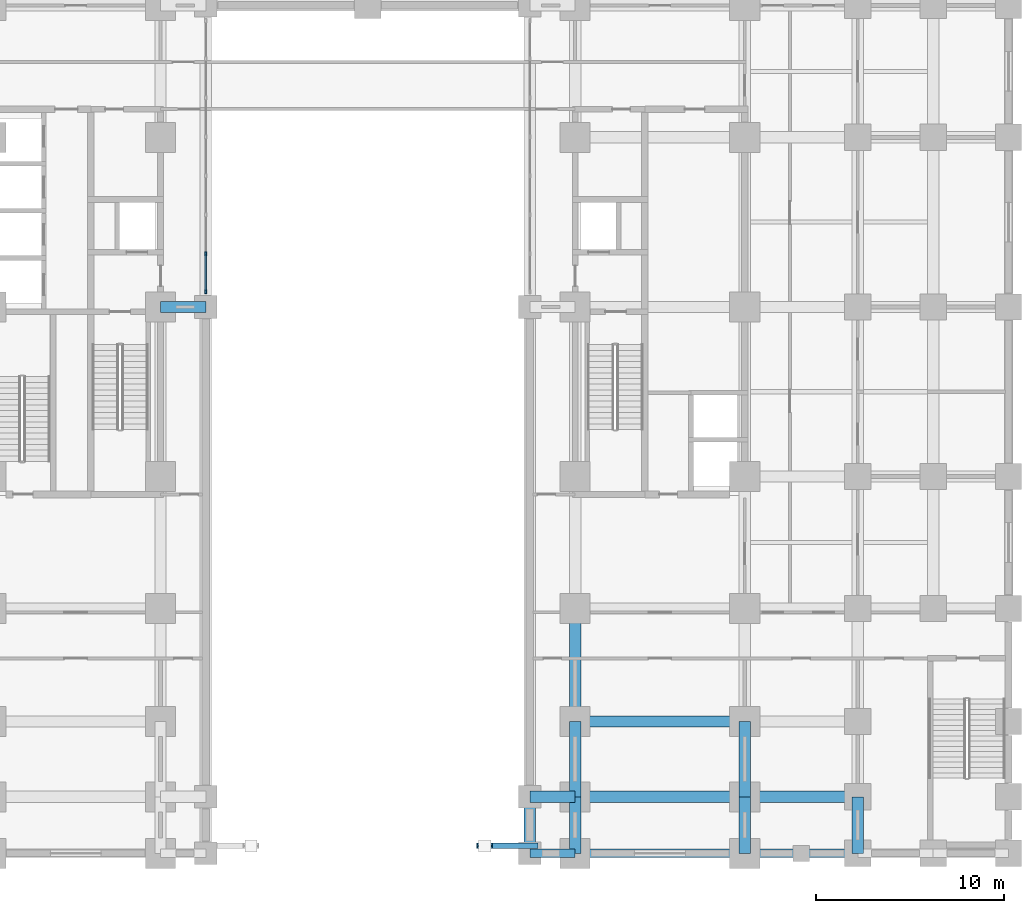
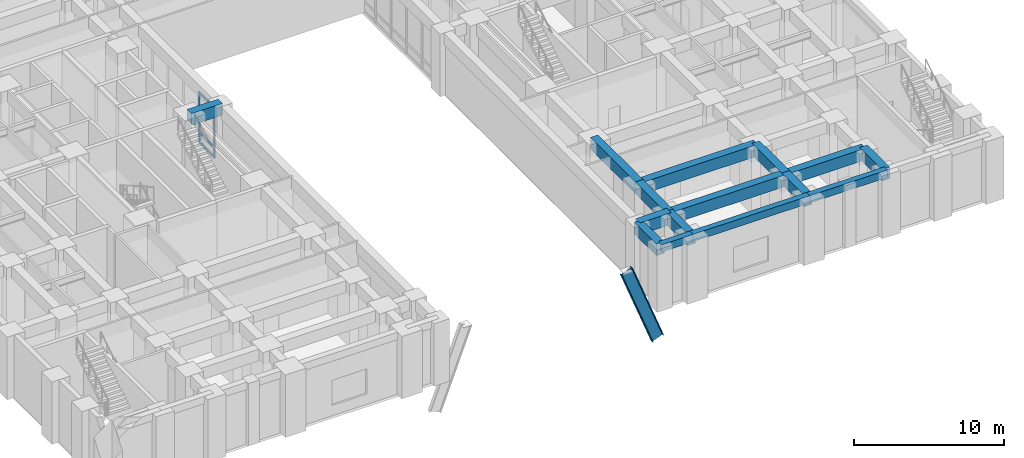
# One storey, part 2 of 23: 15 beams, 6 members, 1 element without a shape of its own.
"""IFC4 building model written with IfcOpenShell, lengths in metres."""

from ifc_helpers import new_model, si_unit, direction, frame, origin, origin_2d, place, context, subcontext, project, spatial, rectangle, i_section, extrude, material, material_profile, profile_set, type_object, element, aggregate, save


model = new_model("IFC4")

# Units and contexts
model_context = context("Model", 3, precision=1e-05, world=origin(), true_north=direction((0.0, 1.0)))
body_context = subcontext(model_context, "Body", "Model", "MODEL_VIEW")
ifc_project = project(units=[si_unit("LENGTHUNIT", "METRE"), si_unit("AREAUNIT", "SQUARE_METRE"), si_unit("VOLUMEUNIT", "CUBIC_METRE"), si_unit("PLANEANGLEUNIT", "RADIAN"), si_unit("MASSUNIT", "GRAM", prefix="KILO")], contexts=[model_context])

# Site, building, storey
site_placement = place(None, origin())
site = spatial("IfcSite", under=ifc_project, at=site_placement, CompositionType="ELEMENT")
building_placement = place(site_placement, origin())
building = spatial("IfcBuilding", under=site, at=building_placement, Name="Zulmaris Gate Convention Tower", CompositionType="ELEMENT")
storey_placement = place(building_placement, frame((0.0, 0.0, 10.8798828125)))
storey = spatial("IfcBuildingStorey", under=building, at=storey_placement, Name="L02", CompositionType="ELEMENT", Elevation=10.8798828125)

# Beams
ifc_material_1 = material(Name="Concrete C60/75", Category="concrete")
ifc_material_profile_1 = material_profile(ifc_material_1, rectangle(XDim=0.60009765625, YDim=0.949951171875, at=origin_2d()), Name="RC BEAM 600x950")
ifc_profile_set_1 = profile_set([ifc_material_profile_1], Name="Concrete C60/75")
beam_type_1 = type_object("IfcBeamType", Name="BM-RC600x950", PredefinedType="BEAM", material=ifc_profile_set_1)
beam_1_placement = place(storey_placement, frame((8.60009765625, -26.0, 4.615234375), z_axis=(1.0, 0.0, 0.0), x_axis=(0.0, 1.0, 0.0)))
element("IfcBeam", 1, at=beam_1_placement, inside=storey, type_object=beam_type_1, Name="L02 Beam BM-L02-X--26.0-+8.6", PredefinedType="BEAM", context=body_context, shape_type="SweptSolid", body=[
    extrude(rectangle(XDim=0.60009765625, YDim=0.949951171875, at=origin_2d()), origin(), (0.0, 0.0, 1.0), 2.39990234375),
])
beam_2_placement = place(storey_placement, frame((11.0, -26.0, 4.615234375), z_axis=(1.0, 0.0, 0.0), x_axis=(0.0, 1.0, 0.0)))
element("IfcBeam", 2, at=beam_2_placement, inside=storey, type_object=beam_type_1, Name="L02 Beam BM-L02-X--26.0-+11.0", PredefinedType="BEAM", context=body_context, shape_type="SweptSolid", body=[
    extrude(rectangle(XDim=0.60009765625, YDim=0.949951171875, at=origin_2d()), origin(), (0.0, 0.0, 1.0), 9.0),
])
beam_3_placement = place(storey_placement, frame((20.0, -26.0, 4.615234375), z_axis=(1.0, 0.0, 0.0), x_axis=(0.0, 1.0, 0.0)))
element("IfcBeam", 3, at=beam_3_placement, inside=storey, type_object=beam_type_1, Name="L02 Beam BM-L02-X--26.0-+20.0", PredefinedType="BEAM", context=body_context, shape_type="SweptSolid", body=[
    extrude(rectangle(XDim=0.60009765625, YDim=0.949951171875, at=origin_2d()), origin(), (0.0, 0.0, 1.0), 6.0),
])
beam_4_placement = place(storey_placement, frame((11.0, -22.0, 4.615234375), z_axis=(1.0, 0.0, 0.0), x_axis=(0.0, 1.0, 0.0)))
element("IfcBeam", 4, at=beam_4_placement, inside=storey, type_object=beam_type_1, Name="L02 Beam BM-L02-X--22.0-+11.0", PredefinedType="BEAM", context=body_context, shape_type="SweptSolid", body=[
    extrude(rectangle(XDim=0.60009765625, YDim=0.949951171875, at=origin_2d()), origin(), (0.0, 0.0, 1.0), 9.0),
])
beam_5_placement = place(storey_placement, frame((-11.0, 0.0, 4.615234375), z_axis=(1.0, 0.0, 0.0), x_axis=(0.0, 1.0, 0.0)))
element("IfcBeam", 5, at=beam_5_placement, inside=storey, type_object=beam_type_1, Name="L02 Beam BM-L02-X-+0.0--11.0", PredefinedType="BEAM", context=body_context, shape_type="SweptSolid", body=[
    extrude(rectangle(XDim=0.60009765625, YDim=0.949951171875, at=origin_2d()), origin(), (0.0, 0.0, 1.0), 2.39990234375),
])
for number, where, z_axis, x_axis, name in (
    (6, (8.60009765625, -29.0, 4.615234375), (0.0, 1.0, 0.0), (-1.0, 0.0, 0.0), "L02 Beam BM-L02-Y-+8.6--29.0"),
    (7, (11.0, -29.0, 4.615234375), (0.0, 1.0, 0.0), (-1.0, 0.0, 0.0), "L02 Beam BM-L02-Y-+11.0--29.0"),
):
    element("IfcBeam", number, at=place(storey_placement, frame(where, z_axis=z_axis, x_axis=x_axis)), inside=storey, type_object=beam_type_1, Name=name, PredefinedType="BEAM", context=body_context, shape_type="SweptSolid", body=[
        extrude(rectangle(XDim=0.60009765625, YDim=0.949951171875, at=origin_2d()), origin(), (0.0, 0.0, 1.0), 3.0),
    ])
beam_6_placement = place(storey_placement, frame((11.0, -26.0, 4.615234375), z_axis=(0.0, 1.0, 0.0), x_axis=(-1.0, 0.0, 0.0)))
element("IfcBeam", 8, at=beam_6_placement, inside=storey, type_object=beam_type_1, Name="L02 Beam BM-L02-Y-+11.0--26.0", PredefinedType="BEAM", context=body_context, shape_type="SweptSolid", body=[
    extrude(rectangle(XDim=0.60009765625, YDim=0.949951171875, at=origin_2d()), origin(), (0.0, 0.0, 1.0), 4.0),
])
beam_7_placement = place(storey_placement, frame((11.0, -22.0, 4.615234375), z_axis=(0.0, 1.0, 0.0), x_axis=(-1.0, 0.0, 0.0)))
element("IfcBeam", 9, at=beam_7_placement, inside=storey, type_object=beam_type_1, Name="L02 Beam BM-L02-Y-+11.0--22.0", PredefinedType="BEAM", context=body_context, shape_type="SweptSolid", body=[
    extrude(rectangle(XDim=0.60009765625, YDim=0.949951171875, at=origin_2d()), origin(), (0.0, 0.0, 1.0), 6.0),
])
beam_8_placement = place(storey_placement, frame((20.0, -29.0, 4.615234375), z_axis=(0.0, 1.0, 0.0), x_axis=(-1.0, 0.0, 0.0)))
element("IfcBeam", 10, at=beam_8_placement, inside=storey, type_object=beam_type_1, Name="L02 Beam BM-L02-Y-+20.0--29.0", PredefinedType="BEAM", context=body_context, shape_type="SweptSolid", body=[
    extrude(rectangle(XDim=0.60009765625, YDim=0.949951171875, at=origin_2d()), origin(), (0.0, 0.0, 1.0), 3.0),
])
beam_9_placement = place(storey_placement, frame((20.0, -26.0, 4.615234375), z_axis=(0.0, 1.0, 0.0), x_axis=(-1.0, 0.0, 0.0)))
element("IfcBeam", 11, at=beam_9_placement, inside=storey, type_object=beam_type_1, Name="L02 Beam BM-L02-Y-+20.0--26.0", PredefinedType="BEAM", context=body_context, shape_type="SweptSolid", body=[
    extrude(rectangle(XDim=0.60009765625, YDim=0.949951171875, at=origin_2d()), origin(), (0.0, 0.0, 1.0), 4.0),
])
beam_10_placement = place(storey_placement, frame((26.0, -29.0, 4.615234375), z_axis=(0.0, 1.0, 0.0), x_axis=(-1.0, 0.0, 0.0)))
element("IfcBeam", 12, at=beam_10_placement, inside=storey, type_object=beam_type_1, Name="L02 Beam BM-L02-Y-+26.0--29.0", PredefinedType="BEAM", context=body_context, shape_type="SweptSolid", body=[
    extrude(rectangle(XDim=0.60009765625, YDim=0.949951171875, at=origin_2d()), origin(), (0.0, 0.0, 1.0), 3.0),
])
ifc_material_2 = material(Name="Precast concrete C50/60", Category="concrete")
ifc_material_profile_2 = material_profile(ifc_material_2, rectangle(XDim=0.449951171875, YDim=0.60009765625, at=origin_2d()), Name="RC SPANDREL 450x600")
ifc_profile_set_2 = profile_set([ifc_material_profile_2], Name="Precast concrete C50/60")
beam_type_2 = type_object("IfcBeamType", Name="BM-SP450x600", PredefinedType="SPANDREL", material=ifc_profile_set_2)
beam_11_placement = place(storey_placement, frame((8.60009765625, -29.0, 4.790283203125), z_axis=(1.0, 0.0, 0.0), x_axis=(0.0, 1.0, 0.0)))
element("IfcBeam", 13, at=beam_11_placement, inside=storey, type_object=beam_type_2, Name="L02 Spandrel BM-L02-X--29.0-+8.6", PredefinedType="SPANDREL", context=body_context, shape_type="SweptSolid", body=[
    extrude(rectangle(XDim=0.449951171875, YDim=0.60009765625, at=origin_2d()), origin(), (0.0, 0.0, 1.0), 2.39990234375),
])
beam_12_placement = place(storey_placement, frame((11.0, -29.0, 4.790283203125), z_axis=(1.0, 0.0, 0.0), x_axis=(0.0, 1.0, 0.0)))
element("IfcBeam", 14, at=beam_12_placement, inside=storey, type_object=beam_type_2, Name="L02 Spandrel BM-L02-X--29.0-+11.0", PredefinedType="SPANDREL", context=body_context, shape_type="SweptSolid", body=[
    extrude(rectangle(XDim=0.449951171875, YDim=0.60009765625, at=origin_2d()), origin(), (0.0, 0.0, 1.0), 9.0),
])
beam_13_placement = place(storey_placement, frame((20.0, -29.0, 4.790283203125), z_axis=(1.0, 0.0, 0.0), x_axis=(0.0, 1.0, 0.0)))
element("IfcBeam", 15, at=beam_13_placement, inside=storey, type_object=beam_type_2, Name="L02 Spandrel BM-L02-X--29.0-+20.0", PredefinedType="SPANDREL", context=body_context, shape_type="SweptSolid", body=[
    extrude(rectangle(XDim=0.449951171875, YDim=0.60009765625, at=origin_2d()), origin(), (0.0, 0.0, 1.0), 6.0),
])

# Member
ifc_material_3 = material(Name="Steel S460", Category="steel")
ifc_material_profile_3 = material_profile(ifc_material_3, i_section(OverallWidth=0.302001953125, OverallDepth=0.909912109375, WebThickness=0.02099609375, FlangeThickness=0.0400390625, FilletRadius=0.030029296875, at=origin_2d()), Name="HEM 900")
ifc_profile_set_3 = profile_set([ifc_material_profile_3], Name="Steel S460")
member_type_1 = type_object("IfcMemberType", Name="CH-HEM900", PredefinedType="CHORD", material=ifc_profile_set_3)
member_1_placement = place(storey_placement, frame((6.199951171875, -28.60009765625, 3.420166015625), z_axis=(0.356011892382, 0.0, -0.934481424365), x_axis=(0.0, 1.0, 0.0)))
element("IfcMember", 16, at=member_1_placement, inside=storey, type_object=member_type_1, Name="Pishtaq Arch Rib S-6", PredefinedType="CHORD", context=body_context, shape_type="SweptSolid", body=[
    extrude(i_section(OverallWidth=0.302001953125, OverallDepth=0.909912109375, WebThickness=0.02099609375, FlangeThickness=0.0400390625, FilletRadius=0.030029296875, at=origin_2d()), origin(), (0.0, 0.0, 1.0), 6.74169921875),
])

# Curtain wall, members
ifc_material_4 = material(Name="Anodised Aluminium", Category="aluminium")
curtain_wall_type = type_object("IfcCurtainWallType", Name="CW-02", PredefinedType="NOTDEFINED", material=ifc_material_4)
curtain_wall_placement = place(storey_placement, origin())
curtain_wall = element("IfcCurtainWall", 17, at=curtain_wall_placement, inside=storey, type_object=curtain_wall_type, Name="CW-02 CW02-L02-WL_0", PredefinedType="NOTDEFINED")
ifc_material_profile_4 = material_profile(ifc_material_4, rectangle(XDim=0.090087890625, YDim=0.219970703125, at=origin_2d()), Name="ALU MULLION 90x220")
ifc_profile_set_4 = profile_set([ifc_material_profile_4], Name="Anodised Aluminium")
member_type_2 = type_object("IfcMemberType", Name="CW-02-MULL", PredefinedType="MULLION", material=ifc_profile_set_4)
member_2_placement = place(storey_placement, frame((-8.60009765625, 0.804931640625, 0.0), z_axis=(0.0, 0.0, 1.0), x_axis=(-1.0, 0.0, 0.0)))
member_2 = element("IfcMember", 18, at=member_2_placement, type_object=member_type_2, Name="CW-02 mullion 1", PredefinedType="MULLION", context=body_context, shape_type="SweptSolid", body=[
    extrude(rectangle(XDim=0.090087890625, YDim=0.219970703125, at=origin_2d()), origin(), (0.0, 0.0, 1.0), 4.13232421875),
])
member_3_placement = place(storey_placement, frame((-8.60009765625, 2.82861328125, 0.0), z_axis=(0.0, 0.0, 1.0), x_axis=(-1.0, 0.0, 0.0)))
member_3 = element("IfcMember", 19, at=member_3_placement, type_object=member_type_2, Name="CW-02 mullion 2", PredefinedType="MULLION", context=body_context, shape_type="SweptSolid", body=[
    extrude(rectangle(XDim=0.090087890625, YDim=0.219970703125, at=origin_2d()), origin(), (0.0, 0.0, 1.0), 4.13232421875),
])
ifc_material_profile_5 = material_profile(ifc_material_4, rectangle(XDim=0.090087890625, YDim=0.179931640625, at=origin_2d()), Name="ALU TRANSOM 90x180")
ifc_profile_set_5 = profile_set([ifc_material_profile_5], Name="Anodised Aluminium")
member_type_3 = type_object("IfcMemberType", Name="CW-02-TRAN", PredefinedType="USERDEFINED", material=ifc_profile_set_5)
member_4_placement = place(storey_placement, frame((-8.60009765625, 0.85009765625, 0.044921875), z_axis=(0.0, 1.0, 0.0), x_axis=(-1.0, 0.0, 0.0)))
member_4 = element("IfcMember", 20, at=member_4_placement, type_object=member_type_3, Name="CW-02 transom 1.1", ObjectType="TRANSOM", PredefinedType="USERDEFINED", context=body_context, shape_type="SweptSolid", body=[
    extrude(rectangle(XDim=0.090087890625, YDim=0.179931640625, at=origin_2d()), origin(), (0.0, 0.0, 1.0), 1.93359375),
])
member_5_placement = place(storey_placement, frame((-8.60009765625, 0.85009765625, 0.85009765625), z_axis=(0.0, 1.0, 0.0), x_axis=(-1.0, 0.0, 0.0)))
member_5 = element("IfcMember", 21, at=member_5_placement, type_object=member_type_3, Name="CW-02 transom 1.2", ObjectType="TRANSOM", PredefinedType="USERDEFINED", context=body_context, shape_type="SweptSolid", body=[
    extrude(rectangle(XDim=0.090087890625, YDim=0.179931640625, at=origin_2d()), origin(), (0.0, 0.0, 1.0), 1.93359375),
])
member_6_placement = place(storey_placement, frame((-8.60009765625, 0.85009765625, 4.087158203125), z_axis=(0.0, 1.0, 0.0), x_axis=(-1.0, 0.0, 0.0)))
member_6 = element("IfcMember", 22, at=member_6_placement, type_object=member_type_3, Name="CW-02 transom 1.3", ObjectType="TRANSOM", PredefinedType="USERDEFINED", context=body_context, shape_type="SweptSolid", body=[
    extrude(rectangle(XDim=0.090087890625, YDim=0.179931640625, at=origin_2d()), origin(), (0.0, 0.0, 1.0), 1.93359375),
])
aggregate(curtain_wall, [member_2, member_3, member_4, member_5, member_6])

save(model, "model.ifc")
